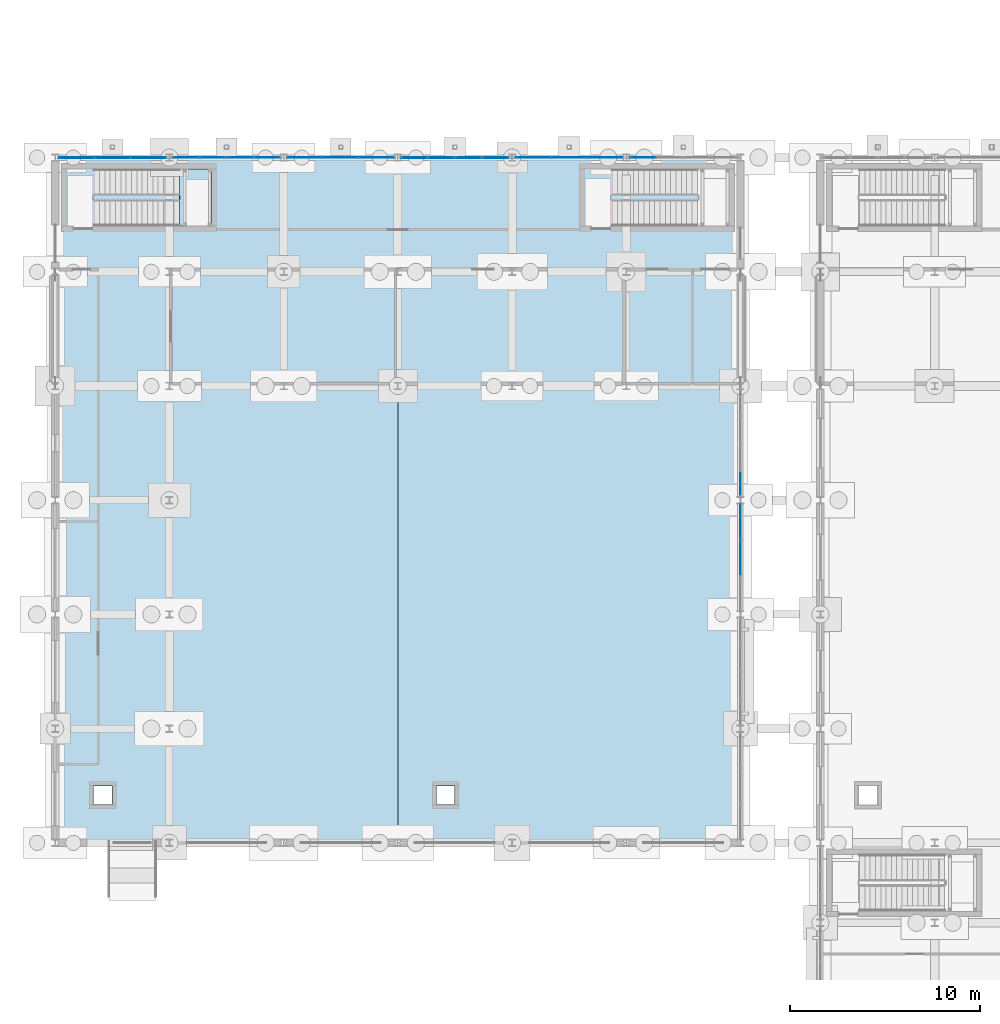
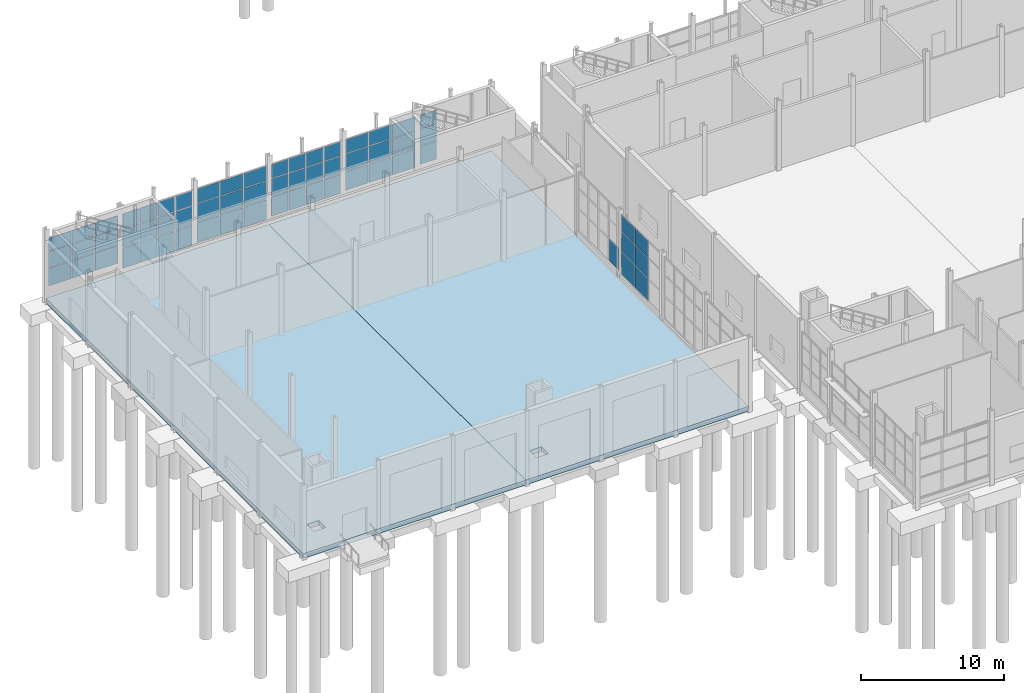
# One storey, part 67 of 120: 61 plates, 3 slabs, 9 elements without a shape of their own.
"""IFC4 building model written with IfcOpenShell, lengths in metres."""

from ifc_helpers import new_model, si_unit, direction, frame, origin, origin_2d, place, context, subcontext, project, spatial, polyline, rectangle, outline, extrude, material, layer, layer_set, type_object, element, aggregate, save


model = new_model("IFC4")

# Units and contexts
model_context = context("Model", 3, precision=1e-05, world=origin(), true_north=direction((0.0, 1.0)))
body_context = subcontext(model_context, "Body", "Model", "MODEL_VIEW")
ifc_project = project(units=[si_unit("LENGTHUNIT", "METRE"), si_unit("AREAUNIT", "SQUARE_METRE"), si_unit("VOLUMEUNIT", "CUBIC_METRE"), si_unit("PLANEANGLEUNIT", "RADIAN"), si_unit("MASSUNIT", "GRAM", prefix="KILO")], contexts=[model_context])

# Site, building, storey
site_placement = place(None, origin())
site = spatial("IfcSite", under=ifc_project, at=site_placement, CompositionType="ELEMENT")
building_placement = place(site_placement, origin())
building = spatial("IfcBuilding", under=site, at=building_placement, Name="Siltcreek Boulevard Central Fire Station", CompositionType="ELEMENT")
storey_placement = place(building_placement, origin())
storey = spatial("IfcBuildingStorey", under=building, at=storey_placement, Name="L01", CompositionType="ELEMENT", Elevation=0.0)

# Curtain wall, plates
ifc_material_1 = material(Name="Anodized aluminum and low-E insulated glazing", Category="aluminium")
curtain_wall_type_1 = type_object("IfcCurtainWallType", Name="CW_SYS_01", PredefinedType="USERDEFINED", material=ifc_material_1)
curtain_wall_1_placement = place(storey_placement, origin())
curtain_wall_1 = element("IfcCurtainWall", 1, at=curtain_wall_1_placement, inside=storey, type_object=curtain_wall_type_1, Name="L01 V4 unitised curtain wall CW-090", ObjectType="CURTAIN WALL", PredefinedType="USERDEFINED")
ifc_material_2 = material(Name="Low-E double insulated glass unit", Category="glass")
ifc_layer_1 = layer(ifc_material_2, 0.028076171875, Name="Low-E double insulated glass unit")
ifc_layer_set_1 = layer_set([ifc_layer_1], Name="Low-E double insulated glass unit")
plate_type_1 = type_object("IfcPlateType", Name="CWP_GLZ_1", PredefinedType="CURTAIN_PANEL", material=ifc_layer_set_1)
plate_1_placement = place(storey_placement, frame((12.925048828125, 54.0, 0.384765625), z_axis=(0.0, 0.0, 1.0), x_axis=(-1.0, 0.0, 0.0)))
plate_1 = element("IfcPlate", 2, at=plate_1_placement, type_object=plate_type_1, Name="CW-090 panel 1.1", PredefinedType="CURTAIN_PANEL", context=body_context, shape_type="SweptSolid", body=[
    extrude(rectangle(XDim=1.330078125, YDim=0.028076171875, at=origin_2d()), origin(), (0.0, 0.0, 1.0), 1.723876953125),
])
plate_2_placement = place(storey_placement, frame((12.925048828125, 54.0, 2.173828125), z_axis=(0.0, 0.0, 1.0), x_axis=(-1.0, 0.0, 0.0)))
plate_2 = element("IfcPlate", 3, at=plate_2_placement, type_object=plate_type_1, Name="CW-090 panel 1.2", PredefinedType="CURTAIN_PANEL", context=body_context, shape_type="SweptSolid", body=[
    extrude(rectangle(XDim=1.330078125, YDim=0.028076171875, at=origin_2d()), origin(), (0.0, 0.0, 1.0), 1.564697265625),
])
plate_3_placement = place(storey_placement, frame((12.925048828125, 54.0, 3.8037109375), z_axis=(0.0, 0.0, 1.0), x_axis=(-1.0, 0.0, 0.0)))
plate_3 = element("IfcPlate", 4, at=plate_3_placement, type_object=plate_type_1, Name="CW-090 panel 1.3", PredefinedType="CURTAIN_PANEL", context=body_context, shape_type="SweptSolid", body=[
    extrude(rectangle(XDim=1.330078125, YDim=0.028076171875, at=origin_2d()), origin(), (0.0, 0.0, 1.0), 1.244384765625),
])
plate_4_placement = place(storey_placement, frame((11.513671875, 54.0, 0.384765625), z_axis=(0.0, 0.0, 1.0), x_axis=(-1.0, 0.0, 0.0)))
plate_4 = element("IfcPlate", 5, at=plate_4_placement, type_object=plate_type_1, Name="CW-090 panel 2.1", PredefinedType="CURTAIN_PANEL", context=body_context, shape_type="SweptSolid", body=[
    extrude(rectangle(XDim=1.362548828125, YDim=0.028076171875, at=origin_2d()), origin(), (0.0, 0.0, 1.0), 1.723876953125),
])
plate_5_placement = place(storey_placement, frame((11.513671875, 54.0, 2.173828125), z_axis=(0.0, 0.0, 1.0), x_axis=(-1.0, 0.0, 0.0)))
plate_5 = element("IfcPlate", 6, at=plate_5_placement, type_object=plate_type_1, Name="CW-090 panel 2.2", PredefinedType="CURTAIN_PANEL", context=body_context, shape_type="SweptSolid", body=[
    extrude(rectangle(XDim=1.362548828125, YDim=0.028076171875, at=origin_2d()), origin(), (0.0, 0.0, 1.0), 1.564697265625),
])
plate_6_placement = place(storey_placement, frame((11.513671875, 54.0, 3.8037109375), z_axis=(0.0, 0.0, 1.0), x_axis=(-1.0, 0.0, 0.0)))
plate_6 = element("IfcPlate", 7, at=plate_6_placement, type_object=plate_type_1, Name="CW-090 panel 2.3", PredefinedType="CURTAIN_PANEL", context=body_context, shape_type="SweptSolid", body=[
    extrude(rectangle(XDim=1.362548828125, YDim=0.028076171875, at=origin_2d()), origin(), (0.0, 0.0, 1.0), 1.244384765625),
])
plate_7_placement = place(storey_placement, frame((10.086181640625, 54.0, 0.384765625), z_axis=(0.0, 0.0, 1.0), x_axis=(-1.0, 0.0, 0.0)))
plate_7 = element("IfcPlate", 8, at=plate_7_placement, type_object=plate_type_1, Name="CW-090 panel 3.1", PredefinedType="CURTAIN_PANEL", context=body_context, shape_type="SweptSolid", body=[
    extrude(rectangle(XDim=1.362548828125, YDim=0.028076171875, at=origin_2d()), origin(), (0.0, 0.0, 1.0), 1.723876953125),
])
plate_8_placement = place(storey_placement, frame((10.086181640625, 54.0, 2.173828125), z_axis=(0.0, 0.0, 1.0), x_axis=(-1.0, 0.0, 0.0)))
plate_8 = element("IfcPlate", 9, at=plate_8_placement, type_object=plate_type_1, Name="CW-090 panel 3.2", PredefinedType="CURTAIN_PANEL", context=body_context, shape_type="SweptSolid", body=[
    extrude(rectangle(XDim=1.362548828125, YDim=0.028076171875, at=origin_2d()), origin(), (0.0, 0.0, 1.0), 1.564697265625),
])
plate_9_placement = place(storey_placement, frame((10.086181640625, 54.0, 3.8037109375), z_axis=(0.0, 0.0, 1.0), x_axis=(-1.0, 0.0, 0.0)))
plate_9 = element("IfcPlate", 10, at=plate_9_placement, type_object=plate_type_1, Name="CW-090 panel 3.3", PredefinedType="CURTAIN_PANEL", context=body_context, shape_type="SweptSolid", body=[
    extrude(rectangle(XDim=1.362548828125, YDim=0.028076171875, at=origin_2d()), origin(), (0.0, 0.0, 1.0), 1.244384765625),
])
plate_10_placement = place(storey_placement, frame((8.675048828125, 54.0, 0.384765625), z_axis=(0.0, 0.0, 1.0), x_axis=(-1.0, 0.0, 0.0)))
plate_10 = element("IfcPlate", 11, at=plate_10_placement, type_object=plate_type_1, Name="CW-090 panel 4.1", PredefinedType="CURTAIN_PANEL", context=body_context, shape_type="SweptSolid", body=[
    extrude(rectangle(XDim=1.330078125, YDim=0.028076171875, at=origin_2d()), origin(), (0.0, 0.0, 1.0), 1.723876953125),
])
plate_11_placement = place(storey_placement, frame((8.675048828125, 54.0, 2.173828125), z_axis=(0.0, 0.0, 1.0), x_axis=(-1.0, 0.0, 0.0)))
plate_11 = element("IfcPlate", 12, at=plate_11_placement, type_object=plate_type_1, Name="CW-090 panel 4.2", PredefinedType="CURTAIN_PANEL", context=body_context, shape_type="SweptSolid", body=[
    extrude(rectangle(XDim=1.330078125, YDim=0.028076171875, at=origin_2d()), origin(), (0.0, 0.0, 1.0), 1.564697265625),
])
plate_12_placement = place(storey_placement, frame((8.675048828125, 54.0, 3.8037109375), z_axis=(0.0, 0.0, 1.0), x_axis=(-1.0, 0.0, 0.0)))
plate_12 = element("IfcPlate", 13, at=plate_12_placement, type_object=plate_type_1, Name="CW-090 panel 4.3", PredefinedType="CURTAIN_PANEL", context=body_context, shape_type="SweptSolid", body=[
    extrude(rectangle(XDim=1.330078125, YDim=0.028076171875, at=origin_2d()), origin(), (0.0, 0.0, 1.0), 1.244384765625),
])
aggregate(curtain_wall_1, [plate_1, plate_2, plate_3, plate_4, plate_5, plate_6, plate_7, plate_8, plate_9, plate_10, plate_11, plate_12])

curtain_wall_type_2 = type_object("IfcCurtainWallType", Name="CW_SYS_04", PredefinedType="USERDEFINED", material=ifc_material_1)
curtain_wall_2_placement = place(storey_placement, origin())
curtain_wall_2 = element("IfcCurtainWall", 14, at=curtain_wall_2_placement, inside=storey, type_object=curtain_wall_type_2, Name="L01 V4 unitised curtain wall CW-093", ObjectType="CURTAIN WALL", PredefinedType="USERDEFINED")
plate_13_placement = place(storey_placement, frame((30.688232421875, 54.0, 0.740234375), z_axis=(0.0, 0.0, 1.0), x_axis=(-1.0, 0.0, 0.0)))
plate_13 = element("IfcPlate", 15, at=plate_13_placement, type_object=plate_type_1, Name="CW-093 panel 1.1", PredefinedType="CURTAIN_PANEL", context=body_context, shape_type="SweptSolid", body=[
    extrude(rectangle(XDim=1.813232421875, YDim=0.028076171875, at=origin_2d()), origin(), (0.0, 0.0, 1.0), 1.594482421875),
])
plate_14_placement = place(storey_placement, frame((30.688232421875, 54.0, 2.39453125), z_axis=(0.0, 0.0, 1.0), x_axis=(-1.0, 0.0, 0.0)))
plate_14 = element("IfcPlate", 16, at=plate_14_placement, type_object=plate_type_1, Name="CW-093 panel 1.2", PredefinedType="CURTAIN_PANEL", context=body_context, shape_type="SweptSolid", body=[
    extrude(rectangle(XDim=1.813232421875, YDim=0.028076171875, at=origin_2d()), origin(), (0.0, 0.0, 1.0), 1.447265625),
])
plate_15_placement = place(storey_placement, frame((30.688232421875, 54.0, 3.90185546875), z_axis=(0.0, 0.0, 1.0), x_axis=(-1.0, 0.0, 0.0)))
plate_15 = element("IfcPlate", 17, at=plate_15_placement, type_object=plate_type_1, Name="CW-093 panel 1.3", PredefinedType="CURTAIN_PANEL", context=body_context, shape_type="SweptSolid", body=[
    extrude(rectangle(XDim=1.813232421875, YDim=0.028076171875, at=origin_2d()), origin(), (0.0, 0.0, 1.0), 1.151123046875),
])
plate_16_placement = place(storey_placement, frame((28.800048828125, 54.0, 0.740234375), z_axis=(0.0, 0.0, 1.0), x_axis=(-1.0, 0.0, 0.0)))
plate_16 = element("IfcPlate", 18, at=plate_16_placement, type_object=plate_type_1, Name="CW-093 panel 2.1", PredefinedType="CURTAIN_PANEL", context=body_context, shape_type="SweptSolid", body=[
    extrude(rectangle(XDim=1.84326171875, YDim=0.028076171875, at=origin_2d()), origin(), (0.0, 0.0, 1.0), 1.594482421875),
])
plate_17_placement = place(storey_placement, frame((28.800048828125, 54.0, 2.39453125), z_axis=(0.0, 0.0, 1.0), x_axis=(-1.0, 0.0, 0.0)))
plate_17 = element("IfcPlate", 19, at=plate_17_placement, type_object=plate_type_1, Name="CW-093 panel 2.2", PredefinedType="CURTAIN_PANEL", context=body_context, shape_type="SweptSolid", body=[
    extrude(rectangle(XDim=1.84326171875, YDim=0.028076171875, at=origin_2d()), origin(), (0.0, 0.0, 1.0), 1.447265625),
])
plate_18_placement = place(storey_placement, frame((28.800048828125, 54.0, 3.90185546875), z_axis=(0.0, 0.0, 1.0), x_axis=(-1.0, 0.0, 0.0)))
plate_18 = element("IfcPlate", 20, at=plate_18_placement, type_object=plate_type_1, Name="CW-093 panel 2.3", PredefinedType="CURTAIN_PANEL", context=body_context, shape_type="SweptSolid", body=[
    extrude(rectangle(XDim=1.84326171875, YDim=0.028076171875, at=origin_2d()), origin(), (0.0, 0.0, 1.0), 1.151123046875),
])
plate_19_placement = place(storey_placement, frame((26.91162109375, 54.0, 0.740234375), z_axis=(0.0, 0.0, 1.0), x_axis=(-1.0, 0.0, 0.0)))
plate_19 = element("IfcPlate", 21, at=plate_19_placement, type_object=plate_type_1, Name="CW-093 panel 3.1", PredefinedType="CURTAIN_PANEL", context=body_context, shape_type="SweptSolid", body=[
    extrude(rectangle(XDim=1.813232421875, YDim=0.028076171875, at=origin_2d()), origin(), (0.0, 0.0, 1.0), 1.594482421875),
])
plate_20_placement = place(storey_placement, frame((26.91162109375, 54.0, 2.39453125), z_axis=(0.0, 0.0, 1.0), x_axis=(-1.0, 0.0, 0.0)))
plate_20 = element("IfcPlate", 22, at=plate_20_placement, type_object=plate_type_1, Name="CW-093 panel 3.2", PredefinedType="CURTAIN_PANEL", context=body_context, shape_type="SweptSolid", body=[
    extrude(rectangle(XDim=1.813232421875, YDim=0.028076171875, at=origin_2d()), origin(), (0.0, 0.0, 1.0), 1.447265625),
])
plate_21_placement = place(storey_placement, frame((26.91162109375, 54.0, 3.90185546875), z_axis=(0.0, 0.0, 1.0), x_axis=(-1.0, 0.0, 0.0)))
plate_21 = element("IfcPlate", 23, at=plate_21_placement, type_object=plate_type_1, Name="CW-093 panel 3.3", PredefinedType="CURTAIN_PANEL", context=body_context, shape_type="SweptSolid", body=[
    extrude(rectangle(XDim=1.813232421875, YDim=0.028076171875, at=origin_2d()), origin(), (0.0, 0.0, 1.0), 1.151123046875),
])
aggregate(curtain_wall_2, [plate_13, plate_14, plate_15, plate_16, plate_17, plate_18, plate_19, plate_20, plate_21])

curtain_wall_type_3 = type_object("IfcCurtainWallType", Name="CW_SYS_02", PredefinedType="USERDEFINED", material=ifc_material_1)
curtain_wall_3_placement = place(storey_placement, origin())
curtain_wall_3 = element("IfcCurtainWall", 24, at=curtain_wall_3_placement, inside=storey, type_object=curtain_wall_type_3, Name="L01 V4 unitised curtain wall CW-091", ObjectType="CURTAIN WALL", PredefinedType="USERDEFINED")
ifc_layer_2 = layer(ifc_material_2, 0.0380859375, Name="Low-E double insulated glass unit")
ifc_layer_set_2 = layer_set([ifc_layer_2], Name="Low-E double insulated glass unit")
plate_type_2 = type_object("IfcPlateType", Name="CWP_GLZ_2", PredefinedType="CURTAIN_PANEL", material=ifc_layer_set_2)
plate_22_placement = place(storey_placement, frame((18.688232421875, 54.0, 0.5), z_axis=(0.0, 0.0, 1.0), x_axis=(-1.0, 0.0, 0.0)))
plate_22 = element("IfcPlate", 25, at=plate_22_placement, type_object=plate_type_2, Name="CW-091 panel 1.1", PredefinedType="CURTAIN_PANEL", context=body_context, shape_type="SweptSolid", body=[
    extrude(rectangle(XDim=1.813232421875, YDim=0.0380859375, at=origin_2d()), origin(), (0.0, 0.0, 1.0), 1.685791015625),
])
plate_23_placement = place(storey_placement, frame((18.688232421875, 54.0, 2.245849609375), z_axis=(0.0, 0.0, 1.0), x_axis=(-1.0, 0.0, 0.0)))
plate_23 = element("IfcPlate", 26, at=plate_23_placement, type_object=plate_type_2, Name="CW-091 panel 1.2", PredefinedType="CURTAIN_PANEL", context=body_context, shape_type="SweptSolid", body=[
    extrude(rectangle(XDim=1.813232421875, YDim=0.0380859375, at=origin_2d()), origin(), (0.0, 0.0, 1.0), 1.52880859375),
])
plate_24_placement = place(storey_placement, frame((18.688232421875, 54.0, 3.83447265625), z_axis=(0.0, 0.0, 1.0), x_axis=(-1.0, 0.0, 0.0)))
plate_24 = element("IfcPlate", 27, at=plate_24_placement, type_object=plate_type_2, Name="CW-091 panel 1.3", PredefinedType="CURTAIN_PANEL", context=body_context, shape_type="SweptSolid", body=[
    extrude(rectangle(XDim=1.813232421875, YDim=0.0380859375, at=origin_2d()), origin(), (0.0, 0.0, 1.0), 1.218505859375),
])
plate_25_placement = place(storey_placement, frame((16.800048828125, 54.0, 0.5), z_axis=(0.0, 0.0, 1.0), x_axis=(-1.0, 0.0, 0.0)))
plate_25 = element("IfcPlate", 28, at=plate_25_placement, type_object=plate_type_2, Name="CW-091 panel 2.1", PredefinedType="CURTAIN_PANEL", context=body_context, shape_type="SweptSolid", body=[
    extrude(rectangle(XDim=1.84326171875, YDim=0.0380859375, at=origin_2d()), origin(), (0.0, 0.0, 1.0), 1.685791015625),
])
plate_26_placement = place(storey_placement, frame((16.800048828125, 54.0, 2.245849609375), z_axis=(0.0, 0.0, 1.0), x_axis=(-1.0, 0.0, 0.0)))
plate_26 = element("IfcPlate", 29, at=plate_26_placement, type_object=plate_type_2, Name="CW-091 panel 2.2", PredefinedType="CURTAIN_PANEL", context=body_context, shape_type="SweptSolid", body=[
    extrude(rectangle(XDim=1.84326171875, YDim=0.0380859375, at=origin_2d()), origin(), (0.0, 0.0, 1.0), 1.52880859375),
])
plate_27_placement = place(storey_placement, frame((16.800048828125, 54.0, 3.83447265625), z_axis=(0.0, 0.0, 1.0), x_axis=(-1.0, 0.0, 0.0)))
plate_27 = element("IfcPlate", 30, at=plate_27_placement, type_object=plate_type_2, Name="CW-091 panel 2.3", PredefinedType="CURTAIN_PANEL", context=body_context, shape_type="SweptSolid", body=[
    extrude(rectangle(XDim=1.84326171875, YDim=0.0380859375, at=origin_2d()), origin(), (0.0, 0.0, 1.0), 1.218505859375),
])
plate_28_placement = place(storey_placement, frame((14.91162109375, 54.0, 0.5), z_axis=(0.0, 0.0, 1.0), x_axis=(-1.0, 0.0, 0.0)))
plate_28 = element("IfcPlate", 31, at=plate_28_placement, type_object=plate_type_2, Name="CW-091 panel 3.1", PredefinedType="CURTAIN_PANEL", context=body_context, shape_type="SweptSolid", body=[
    extrude(rectangle(XDim=1.813232421875, YDim=0.0380859375, at=origin_2d()), origin(), (0.0, 0.0, 1.0), 1.685791015625),
])
plate_29_placement = place(storey_placement, frame((14.91162109375, 54.0, 2.245849609375), z_axis=(0.0, 0.0, 1.0), x_axis=(-1.0, 0.0, 0.0)))
plate_29 = element("IfcPlate", 32, at=plate_29_placement, type_object=plate_type_2, Name="CW-091 panel 3.2", PredefinedType="CURTAIN_PANEL", context=body_context, shape_type="SweptSolid", body=[
    extrude(rectangle(XDim=1.813232421875, YDim=0.0380859375, at=origin_2d()), origin(), (0.0, 0.0, 1.0), 1.52880859375),
])
plate_30_placement = place(storey_placement, frame((14.91162109375, 54.0, 3.83447265625), z_axis=(0.0, 0.0, 1.0), x_axis=(-1.0, 0.0, 0.0)))
plate_30 = element("IfcPlate", 33, at=plate_30_placement, type_object=plate_type_2, Name="CW-091 panel 3.3", PredefinedType="CURTAIN_PANEL", context=body_context, shape_type="SweptSolid", body=[
    extrude(rectangle(XDim=1.813232421875, YDim=0.0380859375, at=origin_2d()), origin(), (0.0, 0.0, 1.0), 1.218505859375),
])
aggregate(curtain_wall_3, [plate_22, plate_23, plate_24, plate_25, plate_26, plate_27, plate_28, plate_29, plate_30])

curtain_wall_type_4 = type_object("IfcCurtainWallType", Name="CW_SYS_05", PredefinedType="USERDEFINED", material=ifc_material_1)
curtain_wall_4_placement = place(storey_placement, origin())
curtain_wall_4 = element("IfcCurtainWall", 34, at=curtain_wall_4_placement, inside=storey, type_object=curtain_wall_type_4, Name="L01 V4 unitised curtain wall CW-094", ObjectType="CURTAIN WALL", PredefinedType="USERDEFINED")
plate_31_placement = place(storey_placement, frame((32.675048828125, 54.0, 0.864990234375), z_axis=(0.0, 0.0, 1.0), x_axis=(-1.0, 0.0, 0.0)))
plate_31 = element("IfcPlate", 35, at=plate_31_placement, type_object=plate_type_2, Name="CW-094 panel 4.1", PredefinedType="CURTAIN_PANEL", context=body_context, shape_type="SweptSolid", body=[
    extrude(rectangle(XDim=1.330078125, YDim=0.0380859375, at=origin_2d()), origin(), (0.0, 0.0, 1.0), 1.54150390625),
])
plate_32_placement = place(storey_placement, frame((32.675048828125, 54.0, 2.47119140625), z_axis=(0.0, 0.0, 1.0), x_axis=(-1.0, 0.0, 0.0)))
plate_32 = element("IfcPlate", 36, at=plate_32_placement, type_object=plate_type_2, Name="CW-094 panel 4.2", PredefinedType="CURTAIN_PANEL", context=body_context, shape_type="SweptSolid", body=[
    extrude(rectangle(XDim=1.330078125, YDim=0.0380859375, at=origin_2d()), origin(), (0.0, 0.0, 1.0), 1.401611328125),
])
plate_33_placement = place(storey_placement, frame((32.675048828125, 54.0, 3.93798828125), z_axis=(0.0, 0.0, 1.0), x_axis=(-1.0, 0.0, 0.0)))
plate_33 = element("IfcPlate", 37, at=plate_33_placement, type_object=plate_type_2, Name="CW-094 panel 4.3", PredefinedType="CURTAIN_PANEL", context=body_context, shape_type="SweptSolid", body=[
    extrude(rectangle(XDim=1.330078125, YDim=0.0380859375, at=origin_2d()), origin(), (0.0, 0.0, 1.0), 1.110107421875),
])
aggregate(curtain_wall_4, [plate_31, plate_32, plate_33])

curtain_wall_type_5 = type_object("IfcCurtainWallType", Name="CW_SYS_08", PredefinedType="USERDEFINED", material=ifc_material_1)
curtain_wall_5_placement = place(storey_placement, origin())
curtain_wall_5 = element("IfcCurtainWall", 38, at=curtain_wall_5_placement, inside=storey, type_object=curtain_wall_type_5, Name="L01 V4 unitised curtain wall CW-097", ObjectType="CURTAIN WALL", PredefinedType="USERDEFINED")
plate_34_placement = place(storey_placement, frame((37.800048828125, 33.0, 0.5), z_axis=(0.0, 0.0, 1.0), x_axis=(0.0, 1.0, 0.0)))
plate_34 = element("IfcPlate", 39, at=plate_34_placement, type_object=plate_type_2, Name="CW-097 panel 2.1", PredefinedType="CURTAIN_PANEL", context=body_context, shape_type="SweptSolid", body=[
    extrude(rectangle(XDim=1.84326171875, YDim=0.0380859375, at=origin_2d()), origin(), (0.0, 0.0, 1.0), 1.8779296875),
])
plate_35_placement = place(storey_placement, frame((37.800048828125, 33.0, 2.43798828125), z_axis=(0.0, 0.0, 1.0), x_axis=(0.0, 1.0, 0.0)))
plate_35 = element("IfcPlate", 40, at=plate_35_placement, type_object=plate_type_2, Name="CW-097 panel 2.2", PredefinedType="CURTAIN_PANEL", context=body_context, shape_type="SweptSolid", body=[
    extrude(rectangle(XDim=1.84326171875, YDim=0.0380859375, at=origin_2d()), origin(), (0.0, 0.0, 1.0), 1.700927734375),
])
plate_36_placement = place(storey_placement, frame((37.800048828125, 33.0, 4.19873046875), z_axis=(0.0, 0.0, 1.0), x_axis=(0.0, 1.0, 0.0)))
plate_36 = element("IfcPlate", 41, at=plate_36_placement, type_object=plate_type_2, Name="CW-097 panel 2.3", PredefinedType="CURTAIN_PANEL", context=body_context, shape_type="SweptSolid", body=[
    extrude(rectangle(XDim=1.84326171875, YDim=0.0380859375, at=origin_2d()), origin(), (0.0, 0.0, 1.0), 1.360107421875),
])
plate_37_placement = place(storey_placement, frame((37.800048828125, 34.888427734375, 0.5), z_axis=(0.0, 0.0, 1.0), x_axis=(0.0, 1.0, 0.0)))
plate_37 = element("IfcPlate", 42, at=plate_37_placement, type_object=plate_type_2, Name="CW-097 panel 3.1", PredefinedType="CURTAIN_PANEL", context=body_context, shape_type="SweptSolid", body=[
    extrude(rectangle(XDim=1.813232421875, YDim=0.0380859375, at=origin_2d()), origin(), (0.0, 0.0, 1.0), 1.8779296875),
])
plate_38_placement = place(storey_placement, frame((37.800048828125, 34.888427734375, 2.43798828125), z_axis=(0.0, 0.0, 1.0), x_axis=(0.0, 1.0, 0.0)))
plate_38 = element("IfcPlate", 43, at=plate_38_placement, type_object=plate_type_2, Name="CW-097 panel 3.2", PredefinedType="CURTAIN_PANEL", context=body_context, shape_type="SweptSolid", body=[
    extrude(rectangle(XDim=1.813232421875, YDim=0.0380859375, at=origin_2d()), origin(), (0.0, 0.0, 1.0), 1.700927734375),
])
plate_39_placement = place(storey_placement, frame((37.800048828125, 34.888427734375, 4.19873046875), z_axis=(0.0, 0.0, 1.0), x_axis=(0.0, 1.0, 0.0)))
plate_39 = element("IfcPlate", 44, at=plate_39_placement, type_object=plate_type_2, Name="CW-097 panel 3.3", PredefinedType="CURTAIN_PANEL", context=body_context, shape_type="SweptSolid", body=[
    extrude(rectangle(XDim=1.813232421875, YDim=0.0380859375, at=origin_2d()), origin(), (0.0, 0.0, 1.0), 1.360107421875),
])
aggregate(curtain_wall_5, [plate_34, plate_35, plate_36, plate_37, plate_38, plate_39])

curtain_wall_type_6 = type_object("IfcCurtainWallType", Name="CW_SYS_30", PredefinedType="USERDEFINED", material=ifc_material_1)
curtain_wall_6_placement = place(storey_placement, origin())
curtain_wall_6 = element("IfcCurtainWall", 45, at=curtain_wall_6_placement, inside=storey, type_object=curtain_wall_type_6, Name="L01 V4 unitised curtain wall CW-089", ObjectType="CURTAIN WALL", PredefinedType="USERDEFINED")
ifc_layer_3 = layer(ifc_material_2, 0.048095703125, Name="Low-E double insulated glass unit")
ifc_layer_set_3 = layer_set([ifc_layer_3], Name="Low-E double insulated glass unit")
plate_type_3 = type_object("IfcPlateType", Name="CWP_GLZ_3", PredefinedType="CURTAIN_PANEL", material=ifc_layer_set_3)
plate_40_placement = place(storey_placement, frame((6.688232421875, 54.0, 0.97998046875), z_axis=(0.0, 0.0, 1.0), x_axis=(-1.0, 0.0, 0.0)))
plate_40 = element("IfcPlate", 46, at=plate_40_placement, type_object=plate_type_3, Name="CW-089 panel 1.1", PredefinedType="CURTAIN_PANEL", context=body_context, shape_type="SweptSolid", body=[
    extrude(rectangle(XDim=1.813232421875, YDim=0.048095703125, at=origin_2d()), origin(), (0.0, 0.0, 1.0), 1.50341796875),
])
plate_41_placement = place(storey_placement, frame((6.688232421875, 54.0, 2.543212890625), z_axis=(0.0, 0.0, 1.0), x_axis=(-1.0, 0.0, 0.0)))
plate_41 = element("IfcPlate", 47, at=plate_41_placement, type_object=plate_type_3, Name="CW-089 panel 1.2", PredefinedType="CURTAIN_PANEL", context=body_context, shape_type="SweptSolid", body=[
    extrude(rectangle(XDim=1.813232421875, YDim=0.048095703125, at=origin_2d()), origin(), (0.0, 0.0, 1.0), 1.36572265625),
])
plate_42_placement = place(storey_placement, frame((6.688232421875, 54.0, 3.968994140625), z_axis=(0.0, 0.0, 1.0), x_axis=(-1.0, 0.0, 0.0)))
plate_42 = element("IfcPlate", 48, at=plate_42_placement, type_object=plate_type_3, Name="CW-089 panel 1.3", PredefinedType="CURTAIN_PANEL", context=body_context, shape_type="SweptSolid", body=[
    extrude(rectangle(XDim=1.813232421875, YDim=0.048095703125, at=origin_2d()), origin(), (0.0, 0.0, 1.0), 1.083984375),
])
plate_43_placement = place(storey_placement, frame((4.800048828125, 54.0, 0.97998046875), z_axis=(0.0, 0.0, 1.0), x_axis=(-1.0, 0.0, 0.0)))
plate_43 = element("IfcPlate", 49, at=plate_43_placement, type_object=plate_type_3, Name="CW-089 panel 2.1", PredefinedType="CURTAIN_PANEL", context=body_context, shape_type="SweptSolid", body=[
    extrude(rectangle(XDim=1.84326171875, YDim=0.048095703125, at=origin_2d()), origin(), (0.0, 0.0, 1.0), 1.50341796875),
])
plate_44_placement = place(storey_placement, frame((4.800048828125, 54.0, 2.543212890625), z_axis=(0.0, 0.0, 1.0), x_axis=(-1.0, 0.0, 0.0)))
plate_44 = element("IfcPlate", 50, at=plate_44_placement, type_object=plate_type_3, Name="CW-089 panel 2.2", PredefinedType="CURTAIN_PANEL", context=body_context, shape_type="SweptSolid", body=[
    extrude(rectangle(XDim=1.84326171875, YDim=0.048095703125, at=origin_2d()), origin(), (0.0, 0.0, 1.0), 1.36572265625),
])
plate_45_placement = place(storey_placement, frame((4.800048828125, 54.0, 3.968994140625), z_axis=(0.0, 0.0, 1.0), x_axis=(-1.0, 0.0, 0.0)))
plate_45 = element("IfcPlate", 51, at=plate_45_placement, type_object=plate_type_3, Name="CW-089 panel 2.3", PredefinedType="CURTAIN_PANEL", context=body_context, shape_type="SweptSolid", body=[
    extrude(rectangle(XDim=1.84326171875, YDim=0.048095703125, at=origin_2d()), origin(), (0.0, 0.0, 1.0), 1.083984375),
])
plate_46_placement = place(storey_placement, frame((2.91162109375, 54.0, 0.97998046875), z_axis=(0.0, 0.0, 1.0), x_axis=(-1.0, 0.0, 0.0)))
plate_46 = element("IfcPlate", 52, at=plate_46_placement, type_object=plate_type_3, Name="CW-089 panel 3.1", PredefinedType="CURTAIN_PANEL", context=body_context, shape_type="SweptSolid", body=[
    extrude(rectangle(XDim=1.813232421875, YDim=0.048095703125, at=origin_2d()), origin(), (0.0, 0.0, 1.0), 1.50341796875),
])
plate_47_placement = place(storey_placement, frame((2.91162109375, 54.0, 2.543212890625), z_axis=(0.0, 0.0, 1.0), x_axis=(-1.0, 0.0, 0.0)))
plate_47 = element("IfcPlate", 53, at=plate_47_placement, type_object=plate_type_3, Name="CW-089 panel 3.2", PredefinedType="CURTAIN_PANEL", context=body_context, shape_type="SweptSolid", body=[
    extrude(rectangle(XDim=1.813232421875, YDim=0.048095703125, at=origin_2d()), origin(), (0.0, 0.0, 1.0), 1.36572265625),
])
plate_48_placement = place(storey_placement, frame((2.91162109375, 54.0, 3.968994140625), z_axis=(0.0, 0.0, 1.0), x_axis=(-1.0, 0.0, 0.0)))
plate_48 = element("IfcPlate", 54, at=plate_48_placement, type_object=plate_type_3, Name="CW-089 panel 3.3", PredefinedType="CURTAIN_PANEL", context=body_context, shape_type="SweptSolid", body=[
    extrude(rectangle(XDim=1.813232421875, YDim=0.048095703125, at=origin_2d()), origin(), (0.0, 0.0, 1.0), 1.083984375),
])
aggregate(curtain_wall_6, [plate_40, plate_41, plate_42, plate_43, plate_44, plate_45, plate_46, plate_47, plate_48])

curtain_wall_type_7 = type_object("IfcCurtainWallType", Name="CW_SYS_03", PredefinedType="USERDEFINED", material=ifc_material_1)
curtain_wall_7_placement = place(storey_placement, origin())
curtain_wall_7 = element("IfcCurtainWall", 55, at=curtain_wall_7_placement, inside=storey, type_object=curtain_wall_type_7, Name="L01 V4 unitised curtain wall CW-092", ObjectType="CURTAIN WALL", PredefinedType="USERDEFINED")
plate_49_placement = place(storey_placement, frame((24.925048828125, 54.0, 0.625), z_axis=(0.0, 0.0, 1.0), x_axis=(-1.0, 0.0, 0.0)))
plate_49 = element("IfcPlate", 56, at=plate_49_placement, type_object=plate_type_3, Name="CW-092 panel 1.1", PredefinedType="CURTAIN_PANEL", context=body_context, shape_type="SweptSolid", body=[
    extrude(rectangle(XDim=1.330078125, YDim=0.048095703125, at=origin_2d()), origin(), (0.0, 0.0, 1.0), 1.632568359375),
])
plate_50_placement = place(storey_placement, frame((24.925048828125, 54.0, 2.32275390625), z_axis=(0.0, 0.0, 1.0), x_axis=(-1.0, 0.0, 0.0)))
plate_50 = element("IfcPlate", 57, at=plate_50_placement, type_object=plate_type_3, Name="CW-092 panel 1.2", PredefinedType="CURTAIN_PANEL", context=body_context, shape_type="SweptSolid", body=[
    extrude(rectangle(XDim=1.330078125, YDim=0.048095703125, at=origin_2d()), origin(), (0.0, 0.0, 1.0), 1.483154296875),
])
plate_51_placement = place(storey_placement, frame((24.925048828125, 54.0, 3.87060546875), z_axis=(0.0, 0.0, 1.0), x_axis=(-1.0, 0.0, 0.0)))
plate_51 = element("IfcPlate", 58, at=plate_51_placement, type_object=plate_type_3, Name="CW-092 panel 1.3", PredefinedType="CURTAIN_PANEL", context=body_context, shape_type="SweptSolid", body=[
    extrude(rectangle(XDim=1.330078125, YDim=0.048095703125, at=origin_2d()), origin(), (0.0, 0.0, 1.0), 1.17724609375),
])
plate_52_placement = place(storey_placement, frame((23.513671875, 54.0, 0.625), z_axis=(0.0, 0.0, 1.0), x_axis=(-1.0, 0.0, 0.0)))
plate_52 = element("IfcPlate", 59, at=plate_52_placement, type_object=plate_type_3, Name="CW-092 panel 2.1", PredefinedType="CURTAIN_PANEL", context=body_context, shape_type="SweptSolid", body=[
    extrude(rectangle(XDim=1.362548828125, YDim=0.048095703125, at=origin_2d()), origin(), (0.0, 0.0, 1.0), 1.632568359375),
])
plate_53_placement = place(storey_placement, frame((23.513671875, 54.0, 2.32275390625), z_axis=(0.0, 0.0, 1.0), x_axis=(-1.0, 0.0, 0.0)))
plate_53 = element("IfcPlate", 60, at=plate_53_placement, type_object=plate_type_3, Name="CW-092 panel 2.2", PredefinedType="CURTAIN_PANEL", context=body_context, shape_type="SweptSolid", body=[
    extrude(rectangle(XDim=1.362548828125, YDim=0.048095703125, at=origin_2d()), origin(), (0.0, 0.0, 1.0), 1.483154296875),
])
plate_54_placement = place(storey_placement, frame((23.513671875, 54.0, 3.87060546875), z_axis=(0.0, 0.0, 1.0), x_axis=(-1.0, 0.0, 0.0)))
plate_54 = element("IfcPlate", 61, at=plate_54_placement, type_object=plate_type_3, Name="CW-092 panel 2.3", PredefinedType="CURTAIN_PANEL", context=body_context, shape_type="SweptSolid", body=[
    extrude(rectangle(XDim=1.362548828125, YDim=0.048095703125, at=origin_2d()), origin(), (0.0, 0.0, 1.0), 1.17724609375),
])
plate_55_placement = place(storey_placement, frame((22.086181640625, 54.0, 0.625), z_axis=(0.0, 0.0, 1.0), x_axis=(-1.0, 0.0, 0.0)))
plate_55 = element("IfcPlate", 62, at=plate_55_placement, type_object=plate_type_3, Name="CW-092 panel 3.1", PredefinedType="CURTAIN_PANEL", context=body_context, shape_type="SweptSolid", body=[
    extrude(rectangle(XDim=1.362548828125, YDim=0.048095703125, at=origin_2d()), origin(), (0.0, 0.0, 1.0), 1.632568359375),
])
plate_56_placement = place(storey_placement, frame((22.086181640625, 54.0, 2.32275390625), z_axis=(0.0, 0.0, 1.0), x_axis=(-1.0, 0.0, 0.0)))
plate_56 = element("IfcPlate", 63, at=plate_56_placement, type_object=plate_type_3, Name="CW-092 panel 3.2", PredefinedType="CURTAIN_PANEL", context=body_context, shape_type="SweptSolid", body=[
    extrude(rectangle(XDim=1.362548828125, YDim=0.048095703125, at=origin_2d()), origin(), (0.0, 0.0, 1.0), 1.483154296875),
])
plate_57_placement = place(storey_placement, frame((22.086181640625, 54.0, 3.87060546875), z_axis=(0.0, 0.0, 1.0), x_axis=(-1.0, 0.0, 0.0)))
plate_57 = element("IfcPlate", 64, at=plate_57_placement, type_object=plate_type_3, Name="CW-092 panel 3.3", PredefinedType="CURTAIN_PANEL", context=body_context, shape_type="SweptSolid", body=[
    extrude(rectangle(XDim=1.362548828125, YDim=0.048095703125, at=origin_2d()), origin(), (0.0, 0.0, 1.0), 1.17724609375),
])
plate_58_placement = place(storey_placement, frame((20.675048828125, 54.0, 0.625), z_axis=(0.0, 0.0, 1.0), x_axis=(-1.0, 0.0, 0.0)))
plate_58 = element("IfcPlate", 65, at=plate_58_placement, type_object=plate_type_3, Name="CW-092 panel 4.1", PredefinedType="CURTAIN_PANEL", context=body_context, shape_type="SweptSolid", body=[
    extrude(rectangle(XDim=1.330078125, YDim=0.048095703125, at=origin_2d()), origin(), (0.0, 0.0, 1.0), 1.632568359375),
])
plate_59_placement = place(storey_placement, frame((20.675048828125, 54.0, 2.32275390625), z_axis=(0.0, 0.0, 1.0), x_axis=(-1.0, 0.0, 0.0)))
plate_59 = element("IfcPlate", 66, at=plate_59_placement, type_object=plate_type_3, Name="CW-092 panel 4.2", PredefinedType="CURTAIN_PANEL", context=body_context, shape_type="SweptSolid", body=[
    extrude(rectangle(XDim=1.330078125, YDim=0.048095703125, at=origin_2d()), origin(), (0.0, 0.0, 1.0), 1.483154296875),
])
plate_60_placement = place(storey_placement, frame((20.675048828125, 54.0, 3.87060546875), z_axis=(0.0, 0.0, 1.0), x_axis=(-1.0, 0.0, 0.0)))
plate_60 = element("IfcPlate", 67, at=plate_60_placement, type_object=plate_type_3, Name="CW-092 panel 4.3", PredefinedType="CURTAIN_PANEL", context=body_context, shape_type="SweptSolid", body=[
    extrude(rectangle(XDim=1.330078125, YDim=0.048095703125, at=origin_2d()), origin(), (0.0, 0.0, 1.0), 1.17724609375),
])
aggregate(curtain_wall_7, [plate_49, plate_50, plate_51, plate_52, plate_53, plate_54, plate_55, plate_56, plate_57, plate_58, plate_59, plate_60])

# Curtain wall, plate
curtain_wall_type_8 = type_object("IfcCurtainWallType", Name="CW_SYS_09", PredefinedType="USERDEFINED", material=ifc_material_1)
curtain_wall_8_placement = place(storey_placement, origin())
curtain_wall_8 = element("IfcCurtainWall", 68, at=curtain_wall_8_placement, inside=storey, type_object=curtain_wall_type_8, Name="L01 V4 unitised curtain wall CW-098", ObjectType="CURTAIN WALL", PredefinedType="USERDEFINED")
plate_61_placement = place(storey_placement, frame((37.800048828125, 36.875, 0.625), z_axis=(0.0, 0.0, 1.0), x_axis=(0.0, 1.0, 0.0)))
plate_61 = element("IfcPlate", 69, at=plate_61_placement, type_object=plate_type_3, Name="CW-098 panel 1.1", PredefinedType="CURTAIN_PANEL", context=body_context, shape_type="SweptSolid", body=[
    extrude(rectangle(XDim=1.330078125, YDim=0.048095703125, at=origin_2d()), origin(), (0.0, 0.0, 1.0), 1.824951171875),
])
aggregate(curtain_wall_8, [plate_61])

# Slabs
ifc_material_3 = material(Name="Concrete C35/45", Category="concrete")
ifc_layer_4 = layer(ifc_material_3, 0.409912109375, Name="Concrete C35/45")
ifc_layer_set_4 = layer_set([ifc_layer_4], Name="Concrete C35/45")
slab_type_1 = type_object("IfcSlabType", Name="SL_BASE350", PredefinedType="BASESLAB", material=ifc_layer_set_4)
slab_1_placement = place(storey_placement, frame((0.0, 0.0, -0.409912109375)))
element("IfcSlab", 70, at=slab_1_placement, inside=storey, type_object=slab_type_1, Name="L01 V4 structural floor slab SL-010", PredefinedType="BASESLAB", context=body_context, shape_type="SweptSolid", body=[
    extrude(outline(polyline([(19.800048828125, 54.0), (19.800048828125, 18.0), (1.800048828125, 18.0), (1.800048828125, 54.0), (19.800048828125, 54.0)]), holes=[polyline([(4.780029296875, 20.97998046875), (3.820068359375, 20.97998046875), (3.820068359375, 20.02001953125), (4.780029296875, 20.02001953125), (4.780029296875, 20.97998046875)])]), origin(), (0.0, 0.0, 1.0), 0.409912109375),
])
slab_2_placement = place(storey_placement, frame((0.0, 0.0, -0.409912109375)))
element("IfcSlab", 71, at=slab_2_placement, inside=storey, type_object=slab_type_1, Name="L01 V4 structural floor slab SL-011", PredefinedType="BASESLAB", context=body_context, shape_type="SweptSolid", body=[
    extrude(outline(polyline([(37.800048828125, 54.0), (37.800048828125, 18.0), (19.800048828125, 18.0), (19.800048828125, 54.0), (37.800048828125, 54.0)]), holes=[polyline([(22.780029296875, 20.97998046875), (21.820068359375, 20.97998046875), (21.820068359375, 20.02001953125), (22.780029296875, 20.02001953125), (22.780029296875, 20.97998046875)])]), origin(), (0.0, 0.0, 1.0), 0.409912109375),
])

# Stair, slab
ifc_material_4 = material(Name="Precast concrete C40/50", Category="concrete")
stair_type = type_object("IfcStairType", Name="ST_DOG_H60", PredefinedType="HALF_TURN_STAIR", material=ifc_material_4)
stair_placement = place(storey_placement, origin())
stair = element("IfcStair", 72, at=stair_placement, inside=storey, type_object=stair_type, Name="L01 Enclosed exit stairway ST-V4A", PredefinedType="HALF_TURN_STAIR")
ifc_layer_5 = layer(ifc_material_4, 0.199951171875, Name="Precast concrete C40/50")
ifc_layer_set_5 = layer_set([ifc_layer_5], Name="Precast concrete C40/50")
slab_type_2 = type_object("IfcSlabType", Name="SL_LAND200", PredefinedType="LANDING", material=ifc_layer_set_5)
slab_3_placement = place(storey_placement, frame((0.0, 0.0, 2.800048828125)))
slab_3 = element("IfcSlab", 73, at=slab_3_placement, type_object=slab_type_2, Name="ST-V4A landing 1", PredefinedType="LANDING", context=body_context, shape_type="SweptSolid", body=[
    extrude(outline(polyline([(8.330078125, 50.39990234375), (10.0, 50.39990234375), (10.0, 53.39990234375), (8.330078125, 53.39990234375), (8.330078125, 50.39990234375)])), origin(), (0.0, 0.0, 1.0), 0.199951171875),
])
aggregate(stair, [slab_3])

save(model, "model.ifc")
